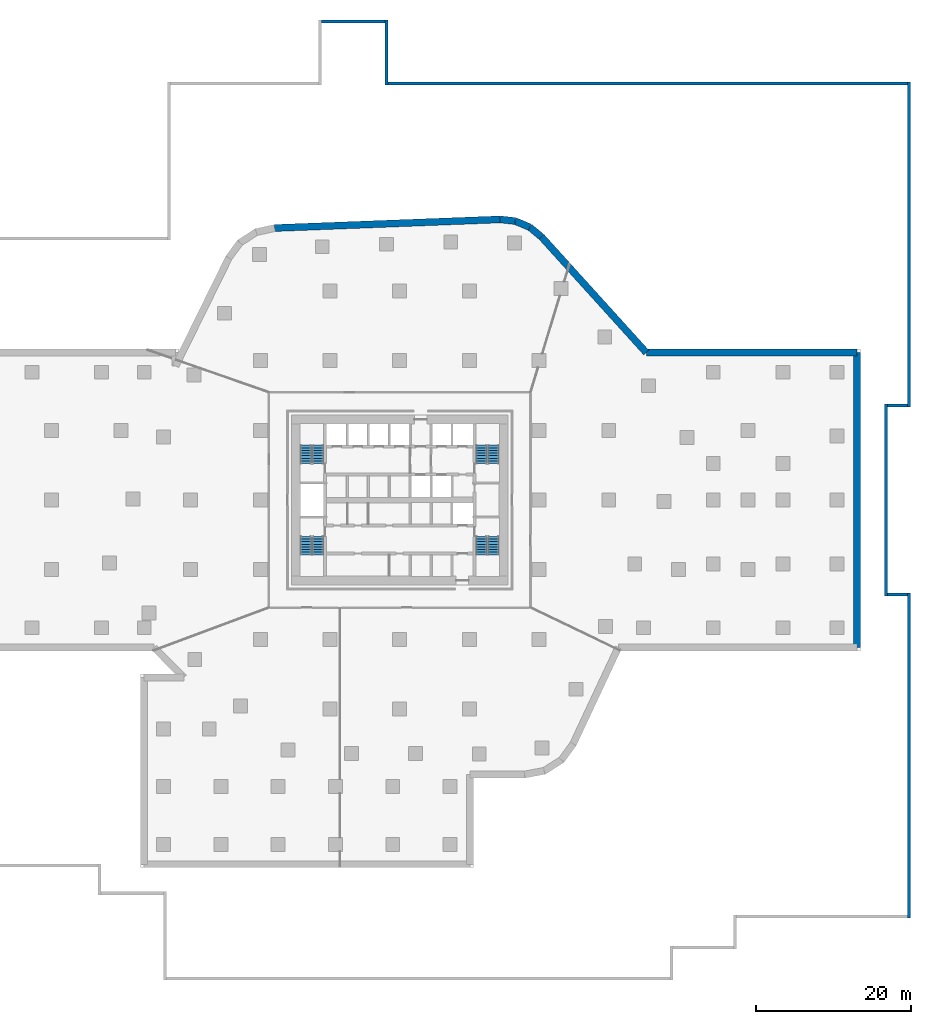
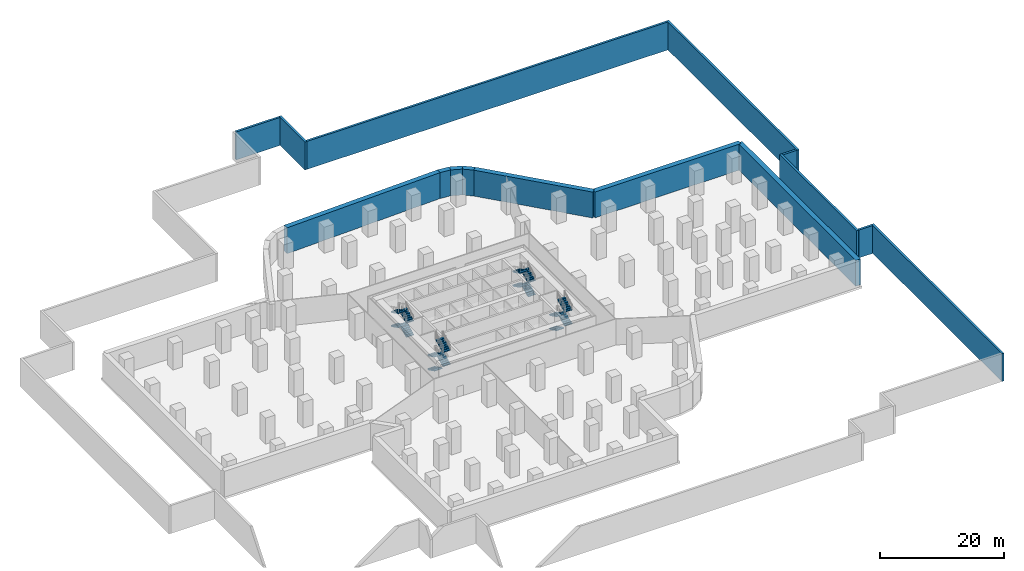
# One storey, part 7 of 9: 16 stair flights, 15 walls, 4 elements without a shape of their own.
"""IFC4 building model written with IfcOpenShell, lengths in metres."""

from ifc_helpers import new_model, si_unit, direction, frame, frame_2d, origin, place, context, subcontext, project, spatial, polyline, rectangle, outline, extrude, material, layer, layer_set, type_object, element, aggregate, save


model = new_model("IFC4")

# Units and contexts
model_context = context("Model", 3, precision=1e-05, world=origin(), true_north=direction((0.0, 1.0)))
body_context = subcontext(model_context, "Body", "Model", "MODEL_VIEW")
ifc_project = project(units=[si_unit("LENGTHUNIT", "METRE"), si_unit("AREAUNIT", "SQUARE_METRE"), si_unit("VOLUMEUNIT", "CUBIC_METRE"), si_unit("PLANEANGLEUNIT", "RADIAN"), si_unit("MASSUNIT", "GRAM", prefix="KILO")], contexts=[model_context])

# Site, building, storey
site_placement = place(None, origin())
site = spatial("IfcSite", under=ifc_project, at=site_placement, CompositionType="ELEMENT")
building_placement = place(site_placement, origin())
building = spatial("IfcBuilding", under=site, at=building_placement, Name="Dongbaek Canopy Tower", CompositionType="ELEMENT")
storey_placement = place(building_placement, frame((0.0, 0.0, -11.5)))
storey = spatial("IfcBuildingStorey", under=building, at=storey_placement, Name="B2", CompositionType="ELEMENT", Elevation=-11.5)

# Walls
ifc_material_1 = material(Name="Concrete C40/50", Category="concrete")
ifc_layer_1 = layer(ifc_material_1, 0.39990234375)
ifc_layer_set_1 = layer_set([ifc_layer_1], Name="Plaza plinth wall 400")
wall_type_1 = type_object("IfcWallType", Name="Plaza plinth wall 400", PredefinedType="SOLIDWALL", material=ifc_layer_set_1)
wall_1_placement = place(storey_placement, frame((65.800048828125, -54.0, 0.0), z_axis=(0.0, 0.0, 1.0), x_axis=(0.0, 1.0, 0.0)))
element("IfcWall", 1, at=wall_1_placement, inside=storey, type_object=wall_type_1, Name="Plaza plinth wall 33", PredefinedType="SOLIDWALL", context=body_context, shape_type="SweptSolid", body=[
    extrude(rectangle(XDim=42.0, YDim=0.39990234375, at=frame_2d((21.0, 0.0))), origin(), (0.0, 0.0, 1.0), 5.5),
])
wall_2_placement = place(storey_placement, frame((63.0, -12.199951171875, 0.0), z_axis=(0.0, 0.0, 1.0), x_axis=(1.0, 0.0, 0.0)))
element("IfcWall", 2, at=wall_2_placement, inside=storey, type_object=wall_type_1, Name="Plaza plinth wall 40", PredefinedType="SOLIDWALL", context=body_context, shape_type="SweptSolid", body=[
    extrude(rectangle(XDim=2.60009765625, YDim=0.39990234375, at=frame_2d((1.300048828125, 0.0))), origin(), (0.0, 0.0, 1.0), 5.5),
])
wall_3_placement = place(storey_placement, frame((62.800048828125, -12.39990234375, 0.0), z_axis=(0.0, 0.0, 1.0), x_axis=(0.0, 1.0, 0.0)))
element("IfcWall", 3, at=wall_3_placement, inside=storey, type_object=wall_type_1, Name="Plaza plinth wall 41", PredefinedType="SOLIDWALL", context=body_context, shape_type="SweptSolid", body=[
    extrude(rectangle(XDim=24.7998046875, YDim=0.39990234375, at=frame_2d((12.39990234375, 0.0))), origin(), (0.0, 0.0, 1.0), 5.5),
])
wall_4_placement = place(storey_placement, frame((63.0, 12.199951171875, 0.0), z_axis=(0.0, 0.0, 1.0), x_axis=(1.0, 0.0, 0.0)))
element("IfcWall", 4, at=wall_4_placement, inside=storey, type_object=wall_type_1, Name="Plaza plinth wall 42", PredefinedType="SOLIDWALL", context=body_context, shape_type="SweptSolid", body=[
    extrude(rectangle(XDim=2.60009765625, YDim=0.39990234375, at=frame_2d((1.300048828125, 0.0))), origin(), (0.0, 0.0, 1.0), 5.5),
])
wall_5_placement = place(storey_placement, frame((65.800048828125, 12.0, 0.0), z_axis=(0.0, 0.0, 1.0), x_axis=(0.0, 1.0, 0.0)))
element("IfcWall", 5, at=wall_5_placement, inside=storey, type_object=wall_type_1, Name="Plaza plinth wall 43", PredefinedType="SOLIDWALL", context=body_context, shape_type="SweptSolid", body=[
    extrude(rectangle(XDim=42.0, YDim=0.39990234375, at=frame_2d((21.0, 0.0))), origin(), (0.0, 0.0, 1.0), 5.5),
])
wall_6_placement = place(storey_placement, frame((-1.5, 53.800048828125, 0.0), z_axis=(0.0, 0.0, 1.0), x_axis=(1.0, 0.0, 0.0)))
element("IfcWall", 6, at=wall_6_placement, inside=storey, type_object=wall_type_1, Name="Plaza plinth wall 49", PredefinedType="SOLIDWALL", context=body_context, shape_type="SweptSolid", body=[
    extrude(rectangle(XDim=67.10009765625, YDim=0.39990234375, at=frame_2d((33.550048828125, 0.0))), origin(), (0.0, 0.0, 1.0), 5.5),
])
wall_7_placement = place(storey_placement, frame((-1.699951171875, 53.60009765625, 0.0), z_axis=(0.0, 0.0, 1.0), x_axis=(0.0, 1.0, 0.0)))
element("IfcWall", 7, at=wall_7_placement, inside=storey, type_object=wall_type_1, Name="Plaza plinth wall 51", PredefinedType="SOLIDWALL", context=body_context, shape_type="SweptSolid", body=[
    extrude(rectangle(XDim=8.39990234375, YDim=0.39990234375, at=frame_2d((4.199951171875, 0.0))), origin(), (0.0, 0.0, 1.0), 5.5),
])
wall_8_placement = place(storey_placement, frame((-10.10009765625, 61.800048828125, 0.0), z_axis=(0.0, 0.0, 1.0), x_axis=(1.0, 0.0, 0.0)))
element("IfcWall", 8, at=wall_8_placement, inside=storey, type_object=wall_type_1, Name="Plaza plinth wall 52", PredefinedType="SOLIDWALL", context=body_context, shape_type="SweptSolid", body=[
    extrude(rectangle(XDim=8.2001953125, YDim=0.39990234375, at=frame_2d((4.10009765625, 0.0))), origin(), (0.0, 0.0, 1.0), 5.5),
])
ifc_material_2 = material(Name="Concrete C40", Category="concrete")
ifc_layer_2 = layer(ifc_material_2, 0.89990234375)
ifc_layer_set_2 = layer_set([ifc_layer_2], Name="RC RETAINING WALL 900 Concrete C40")
wall_type_2 = type_object("IfcWallType", Name="RC RETAINING WALL 900 Concrete C40", PredefinedType="SHEAR", material=ifc_layer_set_2)
wall_9_placement = place(storey_placement, frame((-16.158935546875, 35.130615234375, 0.0), z_axis=(0.0, 0.0, 1.0), x_axis=(0.999269062673, 0.038227482067, 0.0)))
element("IfcWall", 9, at=wall_9_placement, inside=storey, type_object=wall_type_2, Name="RWALL:B2:11", PredefinedType="SHEAR", context=body_context, shape_type="SweptSolid", body=[
    extrude(rectangle(XDim=29.13525390625, YDim=0.89990234375, at=frame_2d((14.567626953125, 0.0))), origin(), (0.0, 0.0, 1.0), 5.10009765625),
])
wall_10_placement = place(storey_placement, origin())
element("IfcWall", 10, at=wall_10_placement, inside=storey, type_object=wall_type_2, Name="RWALL:B2:12", PredefinedType="SHEAR", context=body_context, shape_type="SweptSolid", body=[
    extrude(outline(polyline([(14.96240234375, 36.48095703125), (13.00341796875, 36.69189453125), (12.955078125, 36.244384765625), (12.972412109375, 35.794921875), (12.939697265625, 35.793701171875), (14.8662109375, 35.586181640625), (14.96240234375, 36.48095703125)])), origin(), (0.0, 0.0, 1.0), 5.10009765625),
])
wall_11_placement = place(storey_placement, origin())
element("IfcWall", 11, at=wall_11_placement, inside=storey, type_object=wall_type_2, Name="RWALL:B2:13", PredefinedType="SHEAR", context=body_context, shape_type="SweptSolid", body=[
    extrude(outline(polyline([(16.976318359375, 35.654052734375), (15.0888671875, 36.4482421875), (14.914306640625, 36.033447265625), (14.8662109375, 35.586181640625), (14.800537109375, 35.59326171875), (16.627197265625, 34.824462890625), (16.976318359375, 35.654052734375)])), origin(), (0.0, 0.0, 1.0), 5.10009765625),
])
wall_12_placement = place(storey_placement, origin())
element("IfcWall", 12, at=wall_12_placement, inside=storey, type_object=wall_type_2, Name="RWALL:B2:14", PredefinedType="SHEAR", context=body_context, shape_type="SweptSolid", body=[
    extrude(outline(polyline([(18.608642578125, 34.3330078125), (17.088134765625, 35.58642578125), (16.802001953125, 35.2392578125), (16.627197265625, 34.824462890625), (16.566650390625, 34.85009765625), (18.010986328125, 33.659423828125), (17.989013671875, 33.683837890625), (18.322509765625, 33.98583984375), (18.608642578125, 34.3330078125)])), origin(), (0.0, 0.0, 1.0), 5.10009765625),
])
wall_13_placement = place(storey_placement, frame((18.322509765625, 33.98583984375, 0.0), z_axis=(0.0, 0.0, 1.0), x_axis=(0.671255569768, -0.741225984471, 0.0)))
element("IfcWall", 13, at=wall_13_placement, inside=storey, type_object=wall_type_2, Name="RWALL:B2:15", PredefinedType="SHEAR", context=body_context, shape_type="SweptSolid", body=[
    extrude(rectangle(XDim=20.150146484375, YDim=0.89990234375, at=frame_2d((10.0751953125, 0.0))), origin(), (0.0, 0.0, 1.0), 5.10009765625),
])
wall_14_placement = place(storey_placement, frame((31.848388671875, 19.050048828125, 0.0), z_axis=(0.0, 0.0, 1.0), x_axis=(1.0, 0.0, 0.0)))
element("IfcWall", 14, at=wall_14_placement, inside=storey, type_object=wall_type_2, Name="RWALL:B2:16", PredefinedType="SHEAR", context=body_context, shape_type="SweptSolid", body=[
    extrude(rectangle(XDim=27.20166015625, YDim=0.89990234375, at=frame_2d((13.600830078125, 0.0))), origin(), (0.0, 0.0, 1.0), 5.10009765625),
])
wall_15_placement = place(storey_placement, frame((59.050048828125, 19.050048828125, 0.0), z_axis=(0.0, 0.0, 1.0), x_axis=(0.0, -1.0, 0.0)))
element("IfcWall", 15, at=wall_15_placement, inside=storey, type_object=wall_type_2, Name="RWALL:B2:17", PredefinedType="SHEAR", context=body_context, shape_type="SweptSolid", body=[
    extrude(rectangle(XDim=38.10009765625, YDim=0.89990234375, at=frame_2d((19.050048828125, 0.0))), origin(), (0.0, 0.0, 1.0), 5.10009765625),
])

# Stair, stair flights
ifc_material_3 = material(Name="Concrete C40/50", Category="concrete")
stair_type = type_object("IfcStairType", Name="Core exit stair", PredefinedType="HALF_TURN_STAIR", material=ifc_material_3)
stair_1_placement = place(storey_placement, origin())
stair_1 = element("IfcStair", 16, at=stair_1_placement, inside=storey, type_object=stair_type, Name="B2 exit stair A", PredefinedType="HALF_TURN_STAIR")
ifc_material_4 = material(Name="Concrete C40/50", Category="concrete")
ifc_layer_3 = layer(ifc_material_4, 0.14990234375)
ifc_layer_set_3 = layer_set([ifc_layer_3], Name="Core stair flight 150 waist")
stair_flight_type = type_object("IfcStairFlightType", Name="Core stair flight 150 waist", PredefinedType="STRAIGHT", material=ifc_layer_set_3)
stair_flight_1_placement = place(storey_placement, frame((12.10009765625, 4.699951171875, 0.0), z_axis=(0.0, 0.0, 1.0), x_axis=(0.0, 1.0, 0.0)))
stair_flight_1 = element("IfcStairFlight", 17, at=stair_flight_1_placement, type_object=stair_flight_type, Name="ST-A flight 1", NumberOfRisers=8, NumberOfTreads=7, PredefinedType="STRAIGHT", RiserHeight=0.171875, TreadLength=0.34, context=body_context, shape_type="SweptSolid", body=[
    extrude(outline(polyline([(0.0, 0.0), (0.0, 0.171875), (0.340087890625, 0.171875), (0.340087890625, 0.34375), (0.679931640625, 0.34375), (0.679931640625, 0.515625), (1.02001953125, 0.515625), (1.02001953125, 0.6875), (1.360107421875, 0.6875), (1.360107421875, 0.859375), (1.699951171875, 0.859375), (1.699951171875, 1.03125), (2.0400390625, 1.03125), (2.0400390625, 1.203125), (2.3798828125, 1.203125), (2.3798828125, 1.375), (2.3798828125, 1.03515625), (0.332275390625, 0.0), (0.0, 0.0)])), frame((0.0, 0.699951171875, 0.0), z_axis=(0.0, -1.0, 0.0), x_axis=(1.0, 0.0, 0.0)), (0.0, 0.0, 1.0), 1.39990234375),
])
stair_flight_2_placement = place(storey_placement, frame((10.550048828125, 7.080078125, 1.375), z_axis=(0.0, 0.0, 1.0), x_axis=(0.0, -1.0, 0.0)))
stair_flight_2 = element("IfcStairFlight", 18, at=stair_flight_2_placement, type_object=stair_flight_type, Name="ST-A flight 2", NumberOfRisers=8, NumberOfTreads=7, PredefinedType="STRAIGHT", RiserHeight=0.171875, TreadLength=0.34, context=body_context, shape_type="SweptSolid", body=[
    extrude(outline(polyline([(0.0, 0.0), (0.0, 0.171875), (0.340087890625, 0.171875), (0.340087890625, 0.34375), (0.679931640625, 0.34375), (0.679931640625, 0.515625), (1.02001953125, 0.515625), (1.02001953125, 0.6875), (1.360107421875, 0.6875), (1.360107421875, 0.859375), (1.699951171875, 0.859375), (1.699951171875, 1.03125), (2.0400390625, 1.03125), (2.0400390625, 1.203125), (2.3798828125, 1.203125), (2.3798828125, 1.375), (2.3798828125, 1.03515625), (0.332275390625, 0.0), (0.0, 0.0)])), frame((0.0, 0.699951171875, 0.0), z_axis=(0.0, -1.0, 0.0), x_axis=(1.0, 0.0, 0.0)), (0.0, 0.0, 1.0), 1.39990234375),
])
stair_flight_3_placement = place(storey_placement, frame((12.10009765625, 4.699951171875, 2.75), z_axis=(0.0, 0.0, 1.0), x_axis=(0.0, 1.0, 0.0)))
stair_flight_3 = element("IfcStairFlight", 19, at=stair_flight_3_placement, type_object=stair_flight_type, Name="ST-A flight 3", NumberOfRisers=8, NumberOfTreads=7, PredefinedType="STRAIGHT", RiserHeight=0.171875, TreadLength=0.34, context=body_context, shape_type="SweptSolid", body=[
    extrude(outline(polyline([(0.0, 0.0), (0.0, 0.171875), (0.340087890625, 0.171875), (0.340087890625, 0.34375), (0.679931640625, 0.34375), (0.679931640625, 0.515625), (1.02001953125, 0.515625), (1.02001953125, 0.6875), (1.360107421875, 0.6875), (1.360107421875, 0.859375), (1.699951171875, 0.859375), (1.699951171875, 1.03125), (2.0400390625, 1.03125), (2.0400390625, 1.203125), (2.3798828125, 1.203125), (2.3798828125, 1.375), (2.3798828125, 1.03515625), (0.332275390625, 0.0), (0.0, 0.0)])), frame((0.0, 0.699951171875, 0.0), z_axis=(0.0, -1.0, 0.0), x_axis=(1.0, 0.0, 0.0)), (0.0, 0.0, 1.0), 1.39990234375),
])
stair_flight_4_placement = place(storey_placement, frame((10.550048828125, 7.080078125, 4.125), z_axis=(0.0, 0.0, 1.0), x_axis=(0.0, -1.0, 0.0)))
stair_flight_4 = element("IfcStairFlight", 20, at=stair_flight_4_placement, type_object=stair_flight_type, Name="ST-A flight 4", NumberOfRisers=8, NumberOfTreads=7, PredefinedType="STRAIGHT", RiserHeight=0.171875, TreadLength=0.34, context=body_context, shape_type="SweptSolid", body=[
    extrude(outline(polyline([(0.0, 0.0), (0.0, 0.171875), (0.340087890625, 0.171875), (0.340087890625, 0.34375), (0.679931640625, 0.34375), (0.679931640625, 0.515625), (1.02001953125, 0.515625), (1.02001953125, 0.6875), (1.360107421875, 0.6875), (1.360107421875, 0.859375), (1.699951171875, 0.859375), (1.699951171875, 1.03125), (2.0400390625, 1.03125), (2.0400390625, 1.203125), (2.3798828125, 1.203125), (2.3798828125, 1.375), (2.3798828125, 1.03515625), (0.332275390625, 0.0), (0.0, 0.0)])), frame((0.0, 0.699951171875, 0.0), z_axis=(0.0, -1.0, 0.0), x_axis=(1.0, 0.0, 0.0)), (0.0, 0.0, 1.0), 1.39990234375),
])
aggregate(stair_1, [stair_flight_1, stair_flight_2, stair_flight_3, stair_flight_4])

stair_2_placement = place(storey_placement, origin())
stair_2 = element("IfcStair", 21, at=stair_2_placement, inside=storey, type_object=stair_type, Name="B2 exit stair C", PredefinedType="HALF_TURN_STAIR")
stair_flight_5_placement = place(storey_placement, frame((-10.550048828125, 4.699951171875, 0.0), z_axis=(0.0, 0.0, 1.0), x_axis=(0.0, 1.0, 0.0)))
stair_flight_5 = element("IfcStairFlight", 22, at=stair_flight_5_placement, type_object=stair_flight_type, Name="ST-C flight 1", NumberOfRisers=8, NumberOfTreads=7, PredefinedType="STRAIGHT", RiserHeight=0.171875, TreadLength=0.34, context=body_context, shape_type="SweptSolid", body=[
    extrude(outline(polyline([(0.0, 0.0), (0.0, 0.171875), (0.340087890625, 0.171875), (0.340087890625, 0.34375), (0.679931640625, 0.34375), (0.679931640625, 0.515625), (1.02001953125, 0.515625), (1.02001953125, 0.6875), (1.360107421875, 0.6875), (1.360107421875, 0.859375), (1.699951171875, 0.859375), (1.699951171875, 1.03125), (2.0400390625, 1.03125), (2.0400390625, 1.203125), (2.3798828125, 1.203125), (2.3798828125, 1.375), (2.3798828125, 1.03515625), (0.332275390625, 0.0), (0.0, 0.0)])), frame((0.0, 0.699951171875, 0.0), z_axis=(0.0, -1.0, 0.0), x_axis=(1.0, 0.0, 0.0)), (0.0, 0.0, 1.0), 1.39990234375),
])
stair_flight_6_placement = place(storey_placement, frame((-12.10009765625, 7.080078125, 1.375), z_axis=(0.0, 0.0, 1.0), x_axis=(0.0, -1.0, 0.0)))
stair_flight_6 = element("IfcStairFlight", 23, at=stair_flight_6_placement, type_object=stair_flight_type, Name="ST-C flight 2", NumberOfRisers=8, NumberOfTreads=7, PredefinedType="STRAIGHT", RiserHeight=0.171875, TreadLength=0.34, context=body_context, shape_type="SweptSolid", body=[
    extrude(outline(polyline([(0.0, 0.0), (0.0, 0.171875), (0.340087890625, 0.171875), (0.340087890625, 0.34375), (0.679931640625, 0.34375), (0.679931640625, 0.515625), (1.02001953125, 0.515625), (1.02001953125, 0.6875), (1.360107421875, 0.6875), (1.360107421875, 0.859375), (1.699951171875, 0.859375), (1.699951171875, 1.03125), (2.0400390625, 1.03125), (2.0400390625, 1.203125), (2.3798828125, 1.203125), (2.3798828125, 1.375), (2.3798828125, 1.03515625), (0.332275390625, 0.0), (0.0, 0.0)])), frame((0.0, 0.699951171875, 0.0), z_axis=(0.0, -1.0, 0.0), x_axis=(1.0, 0.0, 0.0)), (0.0, 0.0, 1.0), 1.39990234375),
])
stair_flight_7_placement = place(storey_placement, frame((-10.550048828125, 4.699951171875, 2.75), z_axis=(0.0, 0.0, 1.0), x_axis=(0.0, 1.0, 0.0)))
stair_flight_7 = element("IfcStairFlight", 24, at=stair_flight_7_placement, type_object=stair_flight_type, Name="ST-C flight 3", NumberOfRisers=8, NumberOfTreads=7, PredefinedType="STRAIGHT", RiserHeight=0.171875, TreadLength=0.34, context=body_context, shape_type="SweptSolid", body=[
    extrude(outline(polyline([(0.0, 0.0), (0.0, 0.171875), (0.340087890625, 0.171875), (0.340087890625, 0.34375), (0.679931640625, 0.34375), (0.679931640625, 0.515625), (1.02001953125, 0.515625), (1.02001953125, 0.6875), (1.360107421875, 0.6875), (1.360107421875, 0.859375), (1.699951171875, 0.859375), (1.699951171875, 1.03125), (2.0400390625, 1.03125), (2.0400390625, 1.203125), (2.3798828125, 1.203125), (2.3798828125, 1.375), (2.3798828125, 1.03515625), (0.332275390625, 0.0), (0.0, 0.0)])), frame((0.0, 0.699951171875, 0.0), z_axis=(0.0, -1.0, 0.0), x_axis=(1.0, 0.0, 0.0)), (0.0, 0.0, 1.0), 1.39990234375),
])
stair_flight_8_placement = place(storey_placement, frame((-12.10009765625, 7.080078125, 4.125), z_axis=(0.0, 0.0, 1.0), x_axis=(0.0, -1.0, 0.0)))
stair_flight_8 = element("IfcStairFlight", 25, at=stair_flight_8_placement, type_object=stair_flight_type, Name="ST-C flight 4", NumberOfRisers=8, NumberOfTreads=7, PredefinedType="STRAIGHT", RiserHeight=0.171875, TreadLength=0.34, context=body_context, shape_type="SweptSolid", body=[
    extrude(outline(polyline([(0.0, 0.0), (0.0, 0.171875), (0.340087890625, 0.171875), (0.340087890625, 0.34375), (0.679931640625, 0.34375), (0.679931640625, 0.515625), (1.02001953125, 0.515625), (1.02001953125, 0.6875), (1.360107421875, 0.6875), (1.360107421875, 0.859375), (1.699951171875, 0.859375), (1.699951171875, 1.03125), (2.0400390625, 1.03125), (2.0400390625, 1.203125), (2.3798828125, 1.203125), (2.3798828125, 1.375), (2.3798828125, 1.03515625), (0.332275390625, 0.0), (0.0, 0.0)])), frame((0.0, 0.699951171875, 0.0), z_axis=(0.0, -1.0, 0.0), x_axis=(1.0, 0.0, 0.0)), (0.0, 0.0, 1.0), 1.39990234375),
])
aggregate(stair_2, [stair_flight_5, stair_flight_6, stair_flight_7, stair_flight_8])

stair_3_placement = place(storey_placement, origin())
stair_3 = element("IfcStair", 26, at=stair_3_placement, inside=storey, type_object=stair_type, Name="B2 exit stair B", PredefinedType="HALF_TURN_STAIR")
stair_flight_9_placement = place(storey_placement, frame((10.550048828125, -4.699951171875, 0.0), z_axis=(0.0, 0.0, 1.0), x_axis=(0.0, -1.0, 0.0)))
stair_flight_9 = element("IfcStairFlight", 27, at=stair_flight_9_placement, type_object=stair_flight_type, Name="ST-B flight 1", NumberOfRisers=8, NumberOfTreads=7, PredefinedType="STRAIGHT", RiserHeight=0.171875, TreadLength=0.34, context=body_context, shape_type="SweptSolid", body=[
    extrude(outline(polyline([(0.0, 0.0), (0.0, 0.171875), (0.340087890625, 0.171875), (0.340087890625, 0.34375), (0.679931640625, 0.34375), (0.679931640625, 0.515625), (1.02001953125, 0.515625), (1.02001953125, 0.6875), (1.360107421875, 0.6875), (1.360107421875, 0.859375), (1.699951171875, 0.859375), (1.699951171875, 1.03125), (2.0400390625, 1.03125), (2.0400390625, 1.203125), (2.3798828125, 1.203125), (2.3798828125, 1.375), (2.3798828125, 1.03515625), (0.332275390625, 0.0), (0.0, 0.0)])), frame((0.0, 0.699951171875, 0.0), z_axis=(0.0, -1.0, 0.0), x_axis=(1.0, 0.0, 0.0)), (0.0, 0.0, 1.0), 1.39990234375),
])
stair_flight_10_placement = place(storey_placement, frame((12.10009765625, -7.080078125, 1.375), z_axis=(0.0, 0.0, 1.0), x_axis=(0.0, 1.0, 0.0)))
stair_flight_10 = element("IfcStairFlight", 28, at=stair_flight_10_placement, type_object=stair_flight_type, Name="ST-B flight 2", NumberOfRisers=8, NumberOfTreads=7, PredefinedType="STRAIGHT", RiserHeight=0.171875, TreadLength=0.34, context=body_context, shape_type="SweptSolid", body=[
    extrude(outline(polyline([(0.0, 0.0), (0.0, 0.171875), (0.340087890625, 0.171875), (0.340087890625, 0.34375), (0.679931640625, 0.34375), (0.679931640625, 0.515625), (1.02001953125, 0.515625), (1.02001953125, 0.6875), (1.360107421875, 0.6875), (1.360107421875, 0.859375), (1.699951171875, 0.859375), (1.699951171875, 1.03125), (2.0400390625, 1.03125), (2.0400390625, 1.203125), (2.3798828125, 1.203125), (2.3798828125, 1.375), (2.3798828125, 1.03515625), (0.332275390625, 0.0), (0.0, 0.0)])), frame((0.0, 0.699951171875, 0.0), z_axis=(0.0, -1.0, 0.0), x_axis=(1.0, 0.0, 0.0)), (0.0, 0.0, 1.0), 1.39990234375),
])
stair_flight_11_placement = place(storey_placement, frame((10.550048828125, -4.699951171875, 2.75), z_axis=(0.0, 0.0, 1.0), x_axis=(0.0, -1.0, 0.0)))
stair_flight_11 = element("IfcStairFlight", 29, at=stair_flight_11_placement, type_object=stair_flight_type, Name="ST-B flight 3", NumberOfRisers=8, NumberOfTreads=7, PredefinedType="STRAIGHT", RiserHeight=0.171875, TreadLength=0.34, context=body_context, shape_type="SweptSolid", body=[
    extrude(outline(polyline([(0.0, 0.0), (0.0, 0.171875), (0.340087890625, 0.171875), (0.340087890625, 0.34375), (0.679931640625, 0.34375), (0.679931640625, 0.515625), (1.02001953125, 0.515625), (1.02001953125, 0.6875), (1.360107421875, 0.6875), (1.360107421875, 0.859375), (1.699951171875, 0.859375), (1.699951171875, 1.03125), (2.0400390625, 1.03125), (2.0400390625, 1.203125), (2.3798828125, 1.203125), (2.3798828125, 1.375), (2.3798828125, 1.03515625), (0.332275390625, 0.0), (0.0, 0.0)])), frame((0.0, 0.699951171875, 0.0), z_axis=(0.0, -1.0, 0.0), x_axis=(1.0, 0.0, 0.0)), (0.0, 0.0, 1.0), 1.39990234375),
])
stair_flight_12_placement = place(storey_placement, frame((12.10009765625, -7.080078125, 4.125), z_axis=(0.0, 0.0, 1.0), x_axis=(0.0, 1.0, 0.0)))
stair_flight_12 = element("IfcStairFlight", 30, at=stair_flight_12_placement, type_object=stair_flight_type, Name="ST-B flight 4", NumberOfRisers=8, NumberOfTreads=7, PredefinedType="STRAIGHT", RiserHeight=0.171875, TreadLength=0.34, context=body_context, shape_type="SweptSolid", body=[
    extrude(outline(polyline([(0.0, 0.0), (0.0, 0.171875), (0.340087890625, 0.171875), (0.340087890625, 0.34375), (0.679931640625, 0.34375), (0.679931640625, 0.515625), (1.02001953125, 0.515625), (1.02001953125, 0.6875), (1.360107421875, 0.6875), (1.360107421875, 0.859375), (1.699951171875, 0.859375), (1.699951171875, 1.03125), (2.0400390625, 1.03125), (2.0400390625, 1.203125), (2.3798828125, 1.203125), (2.3798828125, 1.375), (2.3798828125, 1.03515625), (0.332275390625, 0.0), (0.0, 0.0)])), frame((0.0, 0.699951171875, 0.0), z_axis=(0.0, -1.0, 0.0), x_axis=(1.0, 0.0, 0.0)), (0.0, 0.0, 1.0), 1.39990234375),
])
aggregate(stair_3, [stair_flight_9, stair_flight_10, stair_flight_11, stair_flight_12])

stair_4_placement = place(storey_placement, origin())
stair_4 = element("IfcStair", 31, at=stair_4_placement, inside=storey, type_object=stair_type, Name="B2 exit stair D", PredefinedType="HALF_TURN_STAIR")
stair_flight_13_placement = place(storey_placement, frame((-12.10009765625, -4.699951171875, 0.0), z_axis=(0.0, 0.0, 1.0), x_axis=(0.0, -1.0, 0.0)))
stair_flight_13 = element("IfcStairFlight", 32, at=stair_flight_13_placement, type_object=stair_flight_type, Name="ST-D flight 1", NumberOfRisers=8, NumberOfTreads=7, PredefinedType="STRAIGHT", RiserHeight=0.171875, TreadLength=0.34, context=body_context, shape_type="SweptSolid", body=[
    extrude(outline(polyline([(0.0, 0.0), (0.0, 0.171875), (0.340087890625, 0.171875), (0.340087890625, 0.34375), (0.679931640625, 0.34375), (0.679931640625, 0.515625), (1.02001953125, 0.515625), (1.02001953125, 0.6875), (1.360107421875, 0.6875), (1.360107421875, 0.859375), (1.699951171875, 0.859375), (1.699951171875, 1.03125), (2.0400390625, 1.03125), (2.0400390625, 1.203125), (2.3798828125, 1.203125), (2.3798828125, 1.375), (2.3798828125, 1.03515625), (0.332275390625, 0.0), (0.0, 0.0)])), frame((0.0, 0.699951171875, 0.0), z_axis=(0.0, -1.0, 0.0), x_axis=(1.0, 0.0, 0.0)), (0.0, 0.0, 1.0), 1.39990234375),
])
stair_flight_14_placement = place(storey_placement, frame((-10.550048828125, -7.080078125, 1.375), z_axis=(0.0, 0.0, 1.0), x_axis=(0.0, 1.0, 0.0)))
stair_flight_14 = element("IfcStairFlight", 33, at=stair_flight_14_placement, type_object=stair_flight_type, Name="ST-D flight 2", NumberOfRisers=8, NumberOfTreads=7, PredefinedType="STRAIGHT", RiserHeight=0.171875, TreadLength=0.34, context=body_context, shape_type="SweptSolid", body=[
    extrude(outline(polyline([(0.0, 0.0), (0.0, 0.171875), (0.340087890625, 0.171875), (0.340087890625, 0.34375), (0.679931640625, 0.34375), (0.679931640625, 0.515625), (1.02001953125, 0.515625), (1.02001953125, 0.6875), (1.360107421875, 0.6875), (1.360107421875, 0.859375), (1.699951171875, 0.859375), (1.699951171875, 1.03125), (2.0400390625, 1.03125), (2.0400390625, 1.203125), (2.3798828125, 1.203125), (2.3798828125, 1.375), (2.3798828125, 1.03515625), (0.332275390625, 0.0), (0.0, 0.0)])), frame((0.0, 0.699951171875, 0.0), z_axis=(0.0, -1.0, 0.0), x_axis=(1.0, 0.0, 0.0)), (0.0, 0.0, 1.0), 1.39990234375),
])
stair_flight_15_placement = place(storey_placement, frame((-12.10009765625, -4.699951171875, 2.75), z_axis=(0.0, 0.0, 1.0), x_axis=(0.0, -1.0, 0.0)))
stair_flight_15 = element("IfcStairFlight", 34, at=stair_flight_15_placement, type_object=stair_flight_type, Name="ST-D flight 3", NumberOfRisers=8, NumberOfTreads=7, PredefinedType="STRAIGHT", RiserHeight=0.171875, TreadLength=0.34, context=body_context, shape_type="SweptSolid", body=[
    extrude(outline(polyline([(0.0, 0.0), (0.0, 0.171875), (0.340087890625, 0.171875), (0.340087890625, 0.34375), (0.679931640625, 0.34375), (0.679931640625, 0.515625), (1.02001953125, 0.515625), (1.02001953125, 0.6875), (1.360107421875, 0.6875), (1.360107421875, 0.859375), (1.699951171875, 0.859375), (1.699951171875, 1.03125), (2.0400390625, 1.03125), (2.0400390625, 1.203125), (2.3798828125, 1.203125), (2.3798828125, 1.375), (2.3798828125, 1.03515625), (0.332275390625, 0.0), (0.0, 0.0)])), frame((0.0, 0.699951171875, 0.0), z_axis=(0.0, -1.0, 0.0), x_axis=(1.0, 0.0, 0.0)), (0.0, 0.0, 1.0), 1.39990234375),
])
stair_flight_16_placement = place(storey_placement, frame((-10.550048828125, -7.080078125, 4.125), z_axis=(0.0, 0.0, 1.0), x_axis=(0.0, 1.0, 0.0)))
stair_flight_16 = element("IfcStairFlight", 35, at=stair_flight_16_placement, type_object=stair_flight_type, Name="ST-D flight 4", NumberOfRisers=8, NumberOfTreads=7, PredefinedType="STRAIGHT", RiserHeight=0.171875, TreadLength=0.34, context=body_context, shape_type="SweptSolid", body=[
    extrude(outline(polyline([(0.0, 0.0), (0.0, 0.171875), (0.340087890625, 0.171875), (0.340087890625, 0.34375), (0.679931640625, 0.34375), (0.679931640625, 0.515625), (1.02001953125, 0.515625), (1.02001953125, 0.6875), (1.360107421875, 0.6875), (1.360107421875, 0.859375), (1.699951171875, 0.859375), (1.699951171875, 1.03125), (2.0400390625, 1.03125), (2.0400390625, 1.203125), (2.3798828125, 1.203125), (2.3798828125, 1.375), (2.3798828125, 1.03515625), (0.332275390625, 0.0), (0.0, 0.0)])), frame((0.0, 0.699951171875, 0.0), z_axis=(0.0, -1.0, 0.0), x_axis=(1.0, 0.0, 0.0)), (0.0, 0.0, 1.0), 1.39990234375),
])
aggregate(stair_4, [stair_flight_13, stair_flight_14, stair_flight_15, stair_flight_16])

save(model, "model.ifc")
